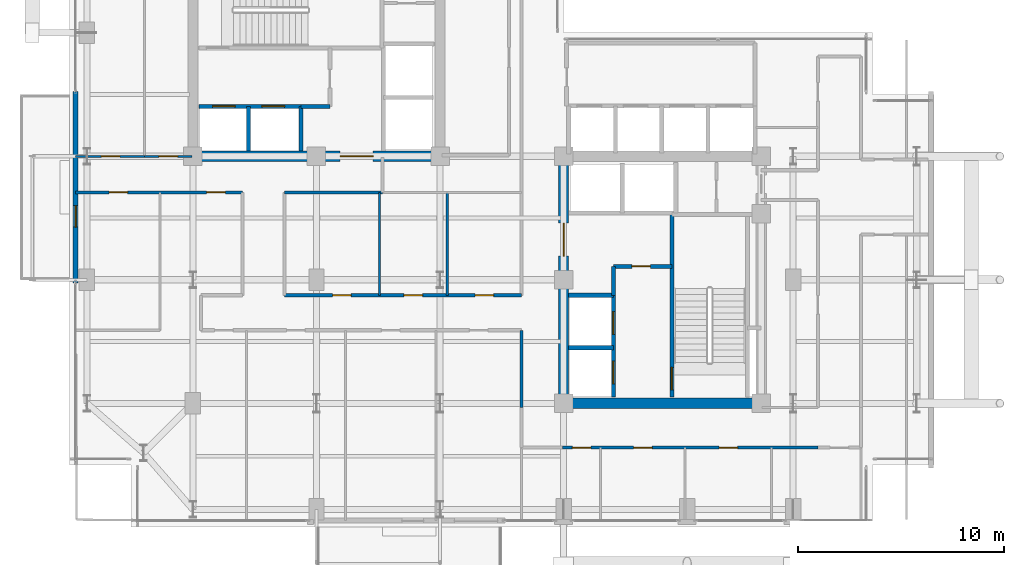
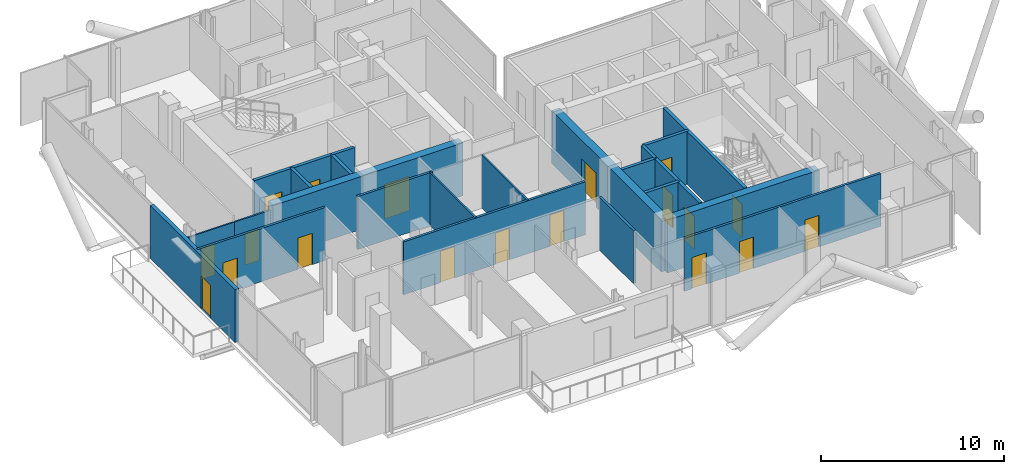
# One storey, part 17 of 22: 23 walls, 19 doors, 19 openings.
"""IFC4 building model written with IfcOpenShell, lengths in metres."""

from ifc_helpers import new_model, si_unit, direction, frame, frame_2d, origin, place, context, subcontext, project, spatial, rectangle, extrude, material, layer, layer_set, type_object, element, fill, save


model = new_model("IFC4")

# Units and contexts
model_context = context("Model", 3, precision=1e-05, world=origin(), true_north=direction((0.0, 1.0)))
body_context = subcontext(model_context, "Body", "Model", "MODEL_VIEW")
ifc_project = project(units=[si_unit("LENGTHUNIT", "METRE"), si_unit("AREAUNIT", "SQUARE_METRE"), si_unit("VOLUMEUNIT", "CUBIC_METRE"), si_unit("PLANEANGLEUNIT", "RADIAN"), si_unit("MASSUNIT", "GRAM", prefix="KILO"), si_unit("THERMODYNAMICTEMPERATUREUNIT", "KELVIN"), si_unit("POWERUNIT", "WATT")], contexts=[model_context])

# Site, building, storey
site_placement = place(None, origin())
site = spatial("IfcSite", under=ifc_project, at=site_placement, CompositionType="ELEMENT")
building_placement = place(site_placement, origin())
building = spatial("IfcBuilding", under=site, at=building_placement, Name="Svarakhadi Broadcast Tower", CompositionType="ELEMENT")
storey_placement = place(building_placement, frame((0.0, 0.0, 191.699951171875)))
storey = spatial("IfcBuildingStorey", under=building, at=storey_placement, Name="L47", CompositionType="ELEMENT", Elevation=191.699951171875)

# Wall, opening, door
ifc_material_1 = material(Name="Concrete C40/50 (IS 456 M50)", Category="concrete")
ifc_layer_1 = layer(ifc_material_1, 0.239990234375)
ifc_layer_set_1 = layer_set([ifc_layer_1], Name="Concrete C40/50 (IS 456 M50)")
wall_type_1 = type_object("IfcWallType", Name="Wall_Ext_240", PredefinedType="SOLIDWALL", material=ifc_layer_set_1)
wall_1_placement = place(storey_placement, frame((0.300048828125, 11.85498046875, 0.0), z_axis=(0.0, 0.0, 1.0), x_axis=(0.0, 1.0, 0.0)))
wall_1 = element("IfcWall", 1, at=wall_1_placement, inside=storey, type_object=wall_type_1, Name="L47 West Tree Balcony Spandrel Wall", PredefinedType="SOLIDWALL", context=body_context, shape_type="SweptSolid", body=[
    extrude(rectangle(XDim=9.2900390625, YDim=0.239990234375, at=frame_2d((4.64501953125, 0.0))), origin(), (0.0, 0.0, 1.0), 3.5400390625),
])
opening_1_placement = place(wall_1_placement, frame((2.699951171875, 0.0, 0.0)))
opening_1 = element("IfcOpeningElement", 2, at=opening_1_placement, cuts=wall_1, Name="Opening ED-06", PredefinedType="OPENING", context=body_context, shape_type="SweptSolid", body=[
    extrude(rectangle(XDim=1.050048828125, YDim=2.199951171875, at=frame_2d((0.52490234375, 1.10009765625))), frame((0.0, 0.1298828125, 0.0), z_axis=(0.0, -1.0, 0.0), x_axis=(1.0, 0.0, 0.0)), (0.0, 0.0, 1.0), 0.260009765625),
])
ifc_material_2 = material(Name="Anodised Bronze Aluminium AA 6063-T6", Category="aluminium")
door_type_1 = type_object("IfcDoorType", Name="Door_Ext_ED06", OperationType="SINGLE_SWING_RIGHT", PredefinedType="DOOR", material=ifc_material_2)
door_1_placement = place(opening_1_placement, origin())
door_1 = element("IfcDoor", 3, at=door_1_placement, inside=storey, type_object=door_type_1, Name="L47 West Tree Balcony Door", OperationType="SINGLE_SWING_RIGHT", OverallHeight=2.199951171875, OverallWidth=1.050048828125, PredefinedType="DOOR", context=body_context, shape_type="SweptSolid", body=[
    extrude(rectangle(XDim=1.050048828125, YDim=2.199951171875, at=frame_2d((0.52490234375, 1.10009765625))), frame((0.0, 0.02490234375, 0.0), z_axis=(0.0, -1.0, 0.0), x_axis=(1.0, 0.0, 0.0)), (0.0, 0.0, 1.0), 0.050048828125),
])
fill(opening_1, door_1)

# Walls
ifc_material_3 = material(Name="Fire-Rated Moisture-Resistant Gypsum Board Partition", Category="gypsum")
ifc_layer_2 = layer(ifc_material_3, 0.10009765625)
ifc_layer_set_2 = layer_set([ifc_layer_2], Name="Fire-Rated Moisture-Resistant Gypsum Board Partition")
wall_type_2 = type_object("IfcWallType", Name="Wall_Part_100", PredefinedType="PARTITIONING", material=ifc_layer_set_2)
for number, where, z_axis, x_axis, name in (
    (4, (15.050048828125, 11.25, 0.0), (0.0, 0.0, 1.0), (0.0, 1.0, 0.0), "L47 Executive Huddle Room Wall"),
    (5, (18.35009765625, 11.25, 0.0), (0.0, 0.0, 1.0), (0.0, 1.0, 0.0), "L47 Editorial Review Booth Wall"),
):
    element("IfcWall", number, at=place(storey_placement, frame(where, z_axis=z_axis, x_axis=x_axis)), inside=storey, type_object=wall_type_2, Name=name, PredefinedType="PARTITIONING", context=body_context, shape_type="SweptSolid", body=[
        extrude(rectangle(XDim=5.0, YDim=0.10009765625, at=frame_2d((2.5, 0.0))), origin(), (0.0, 0.0, 1.0), 3.5400390625),
    ])

# Wall, opening, door
wall_2_placement = place(storey_placement, frame((0.300048828125, 18.0, 0.0), z_axis=(0.0, 0.0, 1.0), x_axis=(1.0, 0.0, 0.0)))
wall_2 = element("IfcWall", 6, at=wall_2_placement, inside=storey, type_object=wall_type_2, Name="L47 Wellness Relaxation Alcove Wall", PredefinedType="PARTITIONING", context=body_context, shape_type="SweptSolid", body=[
    extrude(rectangle(XDim=3.349853515625, YDim=0.10009765625, at=frame_2d((1.6748046875, 0.0))), origin(), (0.0, 0.0, 1.0), 3.132080078125),
])
opening_2_placement = place(wall_2_placement, frame((1.25, 0.0, 0.0)))
opening_2 = element("IfcOpeningElement", 7, at=opening_2_placement, cuts=wall_2, Name="Opening D-15", PredefinedType="OPENING", context=body_context, shape_type="SweptSolid", body=[
    extrude(rectangle(XDim=0.89990234375, YDim=2.10009765625, at=frame_2d((0.449951171875, 1.050048828125))), frame((0.0, 0.06005859375, 0.0), z_axis=(0.0, -1.0, 0.0), x_axis=(1.0, 0.0, 0.0)), (0.0, 0.0, 1.0), 0.1201171875),
])
ifc_material_4 = material(Name="Solid-Core Teak Veneer Acoustic Timber Leaf", Category="wood")
door_type_2 = type_object("IfcDoorType", Name="Door_Int_D15", OperationType="SINGLE_SWING_RIGHT", PredefinedType="DOOR", material=ifc_material_4)
door_2_placement = place(opening_2_placement, origin())
door_2 = element("IfcDoor", 8, at=door_2_placement, inside=storey, type_object=door_type_2, Name="L47 Wellness Relaxation Alcove Door", OperationType="SINGLE_SWING_RIGHT", OverallHeight=2.10009765625, OverallWidth=0.89990234375, PredefinedType="DOOR", context=body_context, shape_type="SweptSolid", body=[
    extrude(rectangle(XDim=0.89990234375, YDim=2.10009765625, at=frame_2d((0.449951171875, 1.050048828125))), frame((0.0, 0.02490234375, 0.0), z_axis=(0.0, -1.0, 0.0), x_axis=(1.0, 0.0, 0.0)), (0.0, 0.0, 1.0), 0.050048828125),
])
fill(opening_2, door_2)

wall_3_placement = place(storey_placement, frame((3.64990234375, 18.0, 0.0), z_axis=(0.0, 0.0, 1.0), x_axis=(1.0, 0.0, 0.0)))
wall_3 = element("IfcWall", 9, at=wall_3_placement, inside=storey, type_object=wall_type_2, Name="L47 Herbal Tea Consultation Room Wall", PredefinedType="PARTITIONING", context=body_context, shape_type="SweptSolid", body=[
    extrude(rectangle(XDim=2.300048828125, YDim=0.10009765625, at=frame_2d((1.14990234375, 0.0))), origin(), (0.0, 0.0, 1.0), 3.132080078125),
])
opening_3_placement = place(wall_3_placement, frame((0.699951171875, 0.0, 0.0)))
opening_3 = element("IfcOpeningElement", 10, at=opening_3_placement, cuts=wall_3, Name="Opening D-14", PredefinedType="OPENING", context=body_context, shape_type="SweptSolid", body=[
    extrude(rectangle(XDim=0.89990234375, YDim=2.10009765625, at=frame_2d((0.449951171875, 1.050048828125))), frame((0.0, 0.06005859375, 0.0), z_axis=(0.0, -1.0, 0.0), x_axis=(1.0, 0.0, 0.0)), (0.0, 0.0, 1.0), 0.1201171875),
])
door_type_3 = type_object("IfcDoorType", Name="Door_Int_D14", OperationType="SINGLE_SWING_LEFT", PredefinedType="DOOR", material=ifc_material_4)
door_3_placement = place(opening_3_placement, origin())
door_3 = element("IfcDoor", 11, at=door_3_placement, inside=storey, type_object=door_type_3, Name="L47 Herbal Tea Consultation Room Door", OperationType="SINGLE_SWING_LEFT", OverallHeight=2.10009765625, OverallWidth=0.89990234375, PredefinedType="DOOR", context=body_context, shape_type="SweptSolid", body=[
    extrude(rectangle(XDim=0.89990234375, YDim=2.10009765625, at=frame_2d((0.449951171875, 1.050048828125))), frame((0.0, 0.02490234375, 0.0), z_axis=(0.0, -1.0, 0.0), x_axis=(1.0, 0.0, 0.0)), (0.0, 0.0, 1.0), 0.050048828125),
])
fill(opening_3, door_3)

# Wall, openings, doors
ifc_material_5 = material(Name="Autoclaved Aerated Concrete Blockwork 150 mm", Category="masonry")
ifc_layer_3 = layer(ifc_material_5, 0.14990234375)
ifc_layer_set_3 = layer_set([ifc_layer_3], Name="Autoclaved Aerated Concrete Blockwork 150 mm")
wall_type_3 = type_object("IfcWallType", Name="Wall_Part_150", PredefinedType="PARTITIONING", material=ifc_layer_set_3)
wall_4_placement = place(storey_placement, frame((36.35009765625, 3.85009765625, 0.0), z_axis=(0.0, 0.0, 1.0), x_axis=(-1.0, 0.0, 0.0)))
wall_4 = element("IfcWall", 12, at=wall_4_placement, inside=storey, type_object=wall_type_3, Name="L47 Zone 2/3 Corridor Wall", PredefinedType="PARTITIONING", context=body_context, shape_type="SweptSolid", body=[
    extrude(rectangle(XDim=12.400146484375, YDim=0.14990234375, at=frame_2d((6.2001953125, 0.0))), origin(), (0.0, 0.0, 1.0), 3.5400390625),
])
opening_4_placement = place(wall_4_placement, frame((11.02490234375, 0.0, 0.0)))
opening_4 = element("IfcOpeningElement", 13, at=opening_4_placement, cuts=wall_4, Name="Opening D-14", PredefinedType="OPENING", context=body_context, shape_type="SweptSolid", body=[
    extrude(rectangle(XDim=0.89990234375, YDim=2.10009765625, at=frame_2d((0.449951171875, 1.050048828125))), frame((0.0, 0.0849609375, 0.0), z_axis=(0.0, -1.0, 0.0), x_axis=(1.0, 0.0, 0.0)), (0.0, 0.0, 1.0), 0.169921875),
])
opening_5_placement = place(wall_4_placement, frame((8.050048828125, 0.0, 0.0)))
opening_5 = element("IfcOpeningElement", 14, at=opening_5_placement, cuts=wall_4, Name="Opening D-15", PredefinedType="OPENING", context=body_context, shape_type="SweptSolid", body=[
    extrude(rectangle(XDim=0.89990234375, YDim=2.10009765625, at=frame_2d((0.449951171875, 1.050048828125))), frame((0.0, 0.0849609375, 0.0), z_axis=(0.0, -1.0, 0.0), x_axis=(1.0, 0.0, 0.0)), (0.0, 0.0, 1.0), 0.169921875),
])
opening_6_placement = place(wall_4_placement, frame((3.89990234375, 0.0, 0.0)))
opening_6 = element("IfcOpeningElement", 15, at=opening_6_placement, cuts=wall_4, Name="Opening D-14", PredefinedType="OPENING", context=body_context, shape_type="SweptSolid", body=[
    extrude(rectangle(XDim=0.89990234375, YDim=2.10009765625, at=frame_2d((0.449951171875, 1.050048828125))), frame((0.0, 0.0849609375, 0.0), z_axis=(0.0, -1.0, 0.0), x_axis=(1.0, 0.0, 0.0)), (0.0, 0.0, 1.0), 0.169921875),
])
door_4_placement = place(opening_4_placement, origin())
door_4 = element("IfcDoor", 16, at=door_4_placement, inside=storey, type_object=door_type_3, Name="L47 Hotel Business Centre Office Door", OperationType="SINGLE_SWING_LEFT", OverallHeight=2.10009765625, OverallWidth=0.89990234375, PredefinedType="DOOR", context=body_context, shape_type="SweptSolid", body=[
    extrude(rectangle(XDim=0.89990234375, YDim=2.10009765625, at=frame_2d((0.449951171875, 1.050048828125))), frame((0.0, 0.02490234375, 0.0), z_axis=(0.0, -1.0, 0.0), x_axis=(1.0, 0.0, 0.0)), (0.0, 0.0, 1.0), 0.050048828125),
])
fill(opening_4, door_4)
door_5_placement = place(opening_6_placement, origin())
door_5 = element("IfcDoor", 17, at=door_5_placement, inside=storey, type_object=door_type_3, Name="L47 Artisanal Espresso Bar Door", OperationType="SINGLE_SWING_LEFT", OverallHeight=2.10009765625, OverallWidth=0.89990234375, PredefinedType="DOOR", context=body_context, shape_type="SweptSolid", body=[
    extrude(rectangle(XDim=0.89990234375, YDim=2.10009765625, at=frame_2d((0.449951171875, 1.050048828125))), frame((0.0, 0.02490234375, 0.0), z_axis=(0.0, -1.0, 0.0), x_axis=(1.0, 0.0, 0.0)), (0.0, 0.0, 1.0), 0.050048828125),
])
fill(opening_6, door_5)
door_6_placement = place(opening_5_placement, origin())
door_6 = element("IfcDoor", 18, at=door_6_placement, inside=storey, type_object=door_type_2, Name="L47 Private Dining Salon Door", OperationType="SINGLE_SWING_RIGHT", OverallHeight=2.10009765625, OverallWidth=0.89990234375, PredefinedType="DOOR", context=body_context, shape_type="SweptSolid", body=[
    extrude(rectangle(XDim=0.89990234375, YDim=2.10009765625, at=frame_2d((0.449951171875, 1.050048828125))), frame((0.0, 0.02490234375, 0.0), z_axis=(0.0, -1.0, 0.0), x_axis=(1.0, 0.0, 0.0)), (0.0, 0.0, 1.0), 0.050048828125),
])
fill(opening_5, door_6)

# Wall
wall_5_placement = place(storey_placement, frame((21.949951171875, 5.800048828125, 0.0), z_axis=(0.0, 0.0, 1.0), x_axis=(0.0, 1.0, 0.0)))
element("IfcWall", 19, at=wall_5_placement, inside=storey, type_object=wall_type_3, Name="L47 Zone 2/3 Corridor Wall", PredefinedType="PARTITIONING", context=body_context, shape_type="SweptSolid", body=[
    extrude(rectangle(XDim=3.75, YDim=0.14990234375, at=frame_2d((1.875, 0.0))), origin(), (0.0, 0.0, 1.0), 3.5400390625),
])

# Wall, openings, doors
wall_6_placement = place(storey_placement, frame((8.39990234375, 16.25, 0.0), z_axis=(0.0, 0.0, 1.0), x_axis=(-1.0, 0.0, 0.0)))
wall_6 = element("IfcWall", 20, at=wall_6_placement, inside=storey, type_object=wall_type_3, Name="L47 Zone 2/3 Corridor Wall", PredefinedType="PARTITIONING", context=body_context, shape_type="SweptSolid", body=[
    extrude(rectangle(XDim=8.099853515625, YDim=0.14990234375, at=frame_2d((4.0498046875, 0.0))), origin(), (0.0, 0.0, 1.0), 3.5400390625),
])
opening_7_placement = place(wall_6_placement, frame((5.574951171875, 0.0, 0.0)))
opening_7 = element("IfcOpeningElement", 21, at=opening_7_placement, cuts=wall_6, Name="Opening D-15", PredefinedType="OPENING", context=body_context, shape_type="SweptSolid", body=[
    extrude(rectangle(XDim=0.89990234375, YDim=2.10009765625, at=frame_2d((0.449951171875, 1.050048828125))), frame((0.0, 0.0849609375, 0.0), z_axis=(0.0, -1.0, 0.0), x_axis=(1.0, 0.0, 0.0)), (0.0, 0.0, 1.0), 0.169921875),
])
opening_8_placement = place(wall_6_placement, frame((0.830078125, 0.0, 0.0)))
opening_8 = element("IfcOpeningElement", 22, at=opening_8_placement, cuts=wall_6, Name="Opening D-12", PredefinedType="OPENING", context=body_context, shape_type="SweptSolid", body=[
    extrude(rectangle(XDim=0.89990234375, YDim=2.10009765625, at=frame_2d((0.449951171875, 1.050048828125))), frame((0.0, 0.0849609375, 0.0), z_axis=(0.0, -1.0, 0.0), x_axis=(1.0, 0.0, 0.0)), (0.0, 0.0, 1.0), 0.169921875),
])
door_7_placement = place(opening_7_placement, origin())
door_7 = element("IfcDoor", 23, at=door_7_placement, inside=storey, type_object=door_type_2, Name="L47 Aromatherapy Treatment Room Door", OperationType="SINGLE_SWING_RIGHT", OverallHeight=2.10009765625, OverallWidth=0.89990234375, PredefinedType="DOOR", context=body_context, shape_type="SweptSolid", body=[
    extrude(rectangle(XDim=0.89990234375, YDim=2.10009765625, at=frame_2d((0.449951171875, 1.050048828125))), frame((0.0, 0.02490234375, 0.0), z_axis=(0.0, -1.0, 0.0), x_axis=(1.0, 0.0, 0.0)), (0.0, 0.0, 1.0), 0.050048828125),
])
fill(opening_7, door_7)
door_type_4 = type_object("IfcDoorType", Name="Door_WC_D01", OperationType="SINGLE_SWING_LEFT", PredefinedType="DOOR", material=ifc_material_4)
door_8_placement = place(opening_8_placement, origin())
door_8 = element("IfcDoor", 24, at=door_8_placement, inside=storey, type_object=door_type_4, Name="L47 Herbal Aromatherapy Studio Door", OperationType="SINGLE_SWING_LEFT", OverallHeight=2.10009765625, OverallWidth=0.89990234375, PredefinedType="DOOR", context=body_context, shape_type="SweptSolid", body=[
    extrude(rectangle(XDim=0.89990234375, YDim=2.10009765625, at=frame_2d((0.449951171875, 1.050048828125))), frame((0.0, 0.02490234375, 0.0), z_axis=(0.0, -1.0, 0.0), x_axis=(1.0, 0.0, 0.0)), (0.0, 0.0, 1.0), 0.050048828125),
])
fill(opening_8, door_8)

# Wall
wall_7_placement = place(storey_placement, frame((15.199951171875, 16.25, 0.0), z_axis=(0.0, 0.0, 1.0), x_axis=(-1.0, 0.0, 0.0)))
element("IfcWall", 25, at=wall_7_placement, inside=storey, type_object=wall_type_3, Name="L47 Zone 2/3 Corridor Wall", PredefinedType="PARTITIONING", context=body_context, shape_type="SweptSolid", body=[
    extrude(rectangle(XDim=4.75, YDim=0.14990234375, at=frame_2d((2.375, 0.0))), origin(), (0.0, 0.0, 1.0), 3.5400390625),
])

# Wall, openings, doors
wall_8_placement = place(storey_placement, frame((10.449951171875, 11.25, 0.0), z_axis=(0.0, 0.0, 1.0), x_axis=(1.0, 0.0, 0.0)))
wall_8 = element("IfcWall", 26, at=wall_8_placement, inside=storey, type_object=wall_type_3, Name="L47 Zone 2/3 Corridor Wall", PredefinedType="PARTITIONING", context=body_context, shape_type="SweptSolid", body=[
    extrude(rectangle(XDim=11.5, YDim=0.14990234375, at=frame_2d((5.75, 0.0))), origin(), (0.0, 0.0, 1.0), 3.5400390625),
])
opening_9_placement = place(wall_8_placement, frame((2.330078125, 0.0, 0.0)))
opening_9 = element("IfcOpeningElement", 27, at=opening_9_placement, cuts=wall_8, Name="Opening D-15", PredefinedType="OPENING", context=body_context, shape_type="SweptSolid", body=[
    extrude(rectangle(XDim=0.89990234375, YDim=2.10009765625, at=frame_2d((0.449951171875, 1.050048828125))), frame((0.0, 0.0849609375, 0.0), z_axis=(0.0, -1.0, 0.0), x_axis=(1.0, 0.0, 0.0)), (0.0, 0.0, 1.0), 0.169921875),
])
opening_10_placement = place(wall_8_placement, frame((5.800048828125, 0.0, 0.0)))
opening_10 = element("IfcOpeningElement", 28, at=opening_10_placement, cuts=wall_8, Name="Opening D-12", PredefinedType="OPENING", context=body_context, shape_type="SweptSolid", body=[
    extrude(rectangle(XDim=0.89990234375, YDim=2.10009765625, at=frame_2d((0.449951171875, 1.050048828125))), frame((0.0, 0.0849609375, 0.0), z_axis=(0.0, -1.0, 0.0), x_axis=(1.0, 0.0, 0.0)), (0.0, 0.0, 1.0), 0.169921875),
])
opening_11_placement = place(wall_8_placement, frame((9.25, 0.0, 0.0)))
opening_11 = element("IfcOpeningElement", 29, at=opening_11_placement, cuts=wall_8, Name="Opening D-13", PredefinedType="OPENING", context=body_context, shape_type="SweptSolid", body=[
    extrude(rectangle(XDim=0.89990234375, YDim=2.10009765625, at=frame_2d((0.449951171875, 1.050048828125))), frame((0.0, 0.0849609375, 0.0), z_axis=(0.0, -1.0, 0.0), x_axis=(1.0, 0.0, 0.0)), (0.0, 0.0, 1.0), 0.169921875),
])
door_type_5 = type_object("IfcDoorType", Name="Door_Closet_D13", OperationType="SINGLE_SWING_RIGHT", PredefinedType="DOOR", material=ifc_material_4)
door_9_placement = place(opening_11_placement, origin())
door_9 = element("IfcDoor", 30, at=door_9_placement, inside=storey, type_object=door_type_5, Name="L47 Accessible Floor Washroom WC Door", OperationType="SINGLE_SWING_RIGHT", OverallHeight=2.10009765625, OverallWidth=0.89990234375, PredefinedType="DOOR", context=body_context, shape_type="SweptSolid", body=[
    extrude(rectangle(XDim=0.89990234375, YDim=2.10009765625, at=frame_2d((0.449951171875, 1.050048828125))), frame((0.0, 0.02490234375, 0.0), z_axis=(0.0, -1.0, 0.0), x_axis=(1.0, 0.0, 0.0)), (0.0, 0.0, 1.0), 0.050048828125),
])
fill(opening_11, door_9)
door_10_placement = place(opening_9_placement, origin())
door_10 = element("IfcDoor", 31, at=door_10_placement, inside=storey, type_object=door_type_2, Name="L47 Executive Huddle Room Door", OperationType="SINGLE_SWING_RIGHT", OverallHeight=2.10009765625, OverallWidth=0.89990234375, PredefinedType="DOOR", context=body_context, shape_type="SweptSolid", body=[
    extrude(rectangle(XDim=0.89990234375, YDim=2.10009765625, at=frame_2d((0.449951171875, 1.050048828125))), frame((0.0, 0.02490234375, 0.0), z_axis=(0.0, -1.0, 0.0), x_axis=(1.0, 0.0, 0.0)), (0.0, 0.0, 1.0), 0.050048828125),
])
fill(opening_9, door_10)
door_11_placement = place(opening_10_placement, origin())
door_11 = element("IfcDoor", 32, at=door_11_placement, inside=storey, type_object=door_type_4, Name="L47 Editorial Review Booth Door", OperationType="SINGLE_SWING_LEFT", OverallHeight=2.10009765625, OverallWidth=0.89990234375, PredefinedType="DOOR", context=body_context, shape_type="SweptSolid", body=[
    extrude(rectangle(XDim=0.89990234375, YDim=2.10009765625, at=frame_2d((0.449951171875, 1.050048828125))), frame((0.0, 0.02490234375, 0.0), z_axis=(0.0, -1.0, 0.0), x_axis=(1.0, 0.0, 0.0)), (0.0, 0.0, 1.0), 0.050048828125),
])
fill(opening_10, door_11)

# Wall, opening, door
ifc_material_6 = material(Name="Concrete C50/60 (IS 456 M60)", Category="concrete")
ifc_layer_4 = layer(ifc_material_6, 0.199951171875)
ifc_layer_set_4 = layer_set([ifc_layer_4], Name="Concrete C50/60 (IS 456 M60)")
wall_type_4 = type_object("IfcWallType", Name="Wall_Shear_200", PredefinedType="SHEAR", material=ifc_layer_set_4)
wall_9_placement = place(storey_placement, frame((29.260009765625, 6.300048828125, 0.0), z_axis=(0.0, 0.0, 1.0), x_axis=(0.0, 1.0, 0.0)))
wall_9 = element("IfcWall", 33, at=wall_9_placement, inside=storey, type_object=wall_type_4, Name="L47 Stair ST-02 West RC Shaft Wall", PredefinedType="SHEAR", context=body_context, shape_type="SweptSolid", body=[
    extrude(rectangle(XDim=8.8798828125, YDim=0.199951171875, at=frame_2d((4.43994140625, 0.0))), origin(), (0.0, 0.0, 1.0), 3.5400390625),
])
opening_12_placement = place(wall_9_placement, frame((0.35009765625, 0.0, 0.0)))
opening_12 = element("IfcOpeningElement", 34, at=opening_12_placement, cuts=wall_9, Name="Opening D-02", PredefinedType="OPENING", context=body_context, shape_type="SweptSolid", body=[
    extrude(rectangle(XDim=1.10009765625, YDim=2.199951171875, at=frame_2d((0.550048828125, 1.10009765625))), frame((0.0, 0.10986328125, 0.0), z_axis=(0.0, -1.0, 0.0), x_axis=(1.0, 0.0, 0.0)), (0.0, 0.0, 1.0), 0.219970703125),
])
ifc_material_7 = material(Name="Galvanised Powder-Coated Fire-Rated Steel Leaf", Category="steel")
door_type_6 = type_object("IfcDoorType", Name="Door_Stair_D02", OperationType="SINGLE_SWING_RIGHT", PredefinedType="DOOR", material=ifc_material_7)
door_12_placement = place(opening_12_placement, origin())
door_12 = element("IfcDoor", 35, at=door_12_placement, inside=storey, type_object=door_type_6, Name="L47 Protected Exit Stair ST-02 Fire Door", OperationType="SINGLE_SWING_RIGHT", OverallHeight=2.199951171875, OverallWidth=1.10009765625, PredefinedType="DOOR", context=body_context, shape_type="SweptSolid", body=[
    extrude(rectangle(XDim=1.10009765625, YDim=2.199951171875, at=frame_2d((0.550048828125, 1.10009765625))), frame((0.0, 0.02490234375, 0.0), z_axis=(0.0, -1.0, 0.0), x_axis=(1.0, 0.0, 0.0)), (0.0, 0.0, 1.0), 0.050048828125),
])
fill(opening_12, door_12)

# Wall, openings, doors
wall_10_placement = place(storey_placement, frame((6.300048828125, 20.419921875, 0.0), z_axis=(0.0, 0.0, 1.0), x_axis=(1.0, 0.0, 0.0)))
wall_10 = element("IfcWall", 36, at=wall_10_placement, inside=storey, type_object=wall_type_4, Name="L47 Firefighting Lift LF-01/02 Shaft Wall", PredefinedType="SHEAR", context=body_context, shape_type="SweptSolid", body=[
    extrude(rectangle(XDim=4.949951171875, YDim=0.199951171875, at=frame_2d((2.47509765625, 0.0))), origin(), (0.0, 0.0, 1.0), 3.5400390625),
])
opening_13_placement = place(wall_10_placement, frame((0.64990234375, 0.0, 0.0)))
opening_13 = element("IfcOpeningElement", 37, at=opening_13_placement, cuts=wall_10, Name="Opening LD-01", PredefinedType="OPENING", context=body_context, shape_type="SweptSolid", body=[
    extrude(rectangle(XDim=1.10009765625, YDim=2.199951171875, at=frame_2d((0.550048828125, 1.10009765625))), frame((0.0, 0.10986328125, 0.0), z_axis=(0.0, -1.0, 0.0), x_axis=(1.0, 0.0, 0.0)), (0.0, 0.0, 1.0), 0.219970703125),
])
opening_14_placement = place(wall_10_placement, frame((3.050048828125, 0.0, 0.0)))
opening_14 = element("IfcOpeningElement", 38, at=opening_14_placement, cuts=wall_10, Name="Opening LD-01", PredefinedType="OPENING", context=body_context, shape_type="SweptSolid", body=[
    extrude(rectangle(XDim=1.10009765625, YDim=2.199951171875, at=frame_2d((0.550048828125, 1.10009765625))), frame((0.0, 0.10986328125, 0.0), z_axis=(0.0, -1.0, 0.0), x_axis=(1.0, 0.0, 0.0)), (0.0, 0.0, 1.0), 0.219970703125),
])
door_type_7 = type_object("IfcDoorType", Name="Door_Lift_LD01", OperationType="SLIDING_TO_LEFT", PredefinedType="DOOR", material=ifc_material_7)
door_13_placement = place(opening_13_placement, origin())
door_13 = element("IfcDoor", 39, at=door_13_placement, inside=storey, type_object=door_type_7, Name="L47 Firefighting Lift LF-01 Landing Door", OperationType="SLIDING_TO_LEFT", OverallHeight=2.199951171875, OverallWidth=1.10009765625, PredefinedType="DOOR", context=body_context, shape_type="SweptSolid", body=[
    extrude(rectangle(XDim=1.10009765625, YDim=2.199951171875, at=frame_2d((0.550048828125, 1.10009765625))), frame((0.0, 0.02490234375, 0.0), z_axis=(0.0, -1.0, 0.0), x_axis=(1.0, 0.0, 0.0)), (0.0, 0.0, 1.0), 0.050048828125),
])
fill(opening_13, door_13)
door_14_placement = place(opening_14_placement, origin())
door_14 = element("IfcDoor", 40, at=door_14_placement, inside=storey, type_object=door_type_7, Name="L47 Firefighting Lift LF-02 Landing Door", OperationType="SLIDING_TO_LEFT", OverallHeight=2.199951171875, OverallWidth=1.10009765625, PredefinedType="DOOR", context=body_context, shape_type="SweptSolid", body=[
    extrude(rectangle(XDim=1.10009765625, YDim=2.199951171875, at=frame_2d((0.550048828125, 1.10009765625))), frame((0.0, 0.02490234375, 0.0), z_axis=(0.0, -1.0, 0.0), x_axis=(1.0, 0.0, 0.0)), (0.0, 0.0, 1.0), 0.050048828125),
])
fill(opening_14, door_14)

# Walls
for number, where, z_axis, x_axis, name in (
    (41, (8.699951171875, 18.25, 0.0), (0.0, 0.0, 1.0), (0.0, 1.0, 0.0), "L47 Firefighting Lift LF-01/02 Divider Wall"),
    (42, (11.25, 18.25, 0.0), (0.0, 0.0, 1.0), (0.0, 1.0, 0.0), "L47 Firefighting Lift LF-02 East Wall"),
):
    element("IfcWall", number, at=place(storey_placement, frame(where, z_axis=z_axis, x_axis=x_axis)), inside=storey, type_object=wall_type_4, Name=name, PredefinedType="SHEAR", context=body_context, shape_type="SweptSolid", body=[
        extrude(rectangle(XDim=2.169921875, YDim=0.199951171875, at=frame_2d((1.0849609375, 0.0))), origin(), (0.0, 0.0, 1.0), 3.5400390625),
    ])
wall_11_placement = place(storey_placement, frame((11.25, 20.419921875, 0.0), z_axis=(0.0, 0.0, 1.0), x_axis=(1.0, 0.0, 0.0)))
element("IfcWall", 43, at=wall_11_placement, inside=storey, type_object=wall_type_4, Name="L47 West Firefighting Lobby South Wall", PredefinedType="SHEAR", context=body_context, shape_type="SweptSolid", body=[
    extrude(rectangle(XDim=1.39990234375, YDim=0.199951171875, at=frame_2d((0.699951171875, 0.0))), origin(), (0.0, 0.0, 1.0), 3.5400390625),
])

# Wall, openings, doors
wall_12_placement = place(storey_placement, frame((26.419921875, 6.300048828125, 0.0), z_axis=(0.0, 0.0, 1.0), x_axis=(0.0, 1.0, 0.0)))
wall_12 = element("IfcWall", 44, at=wall_12_placement, inside=storey, type_object=wall_type_4, Name="L47 Firefighting Lift LF-03/04 Shaft Wall", PredefinedType="SHEAR", context=body_context, shape_type="SweptSolid", body=[
    extrude(rectangle(XDim=4.949951171875, YDim=0.199951171875, at=frame_2d((2.47509765625, 0.0))), origin(), (0.0, 0.0, 1.0), 3.5400390625),
])
opening_15_placement = place(wall_12_placement, frame((0.64990234375, 0.0, 0.0)))
opening_15 = element("IfcOpeningElement", 45, at=opening_15_placement, cuts=wall_12, Name="Opening LD-01", PredefinedType="OPENING", context=body_context, shape_type="SweptSolid", body=[
    extrude(rectangle(XDim=1.10009765625, YDim=2.199951171875, at=frame_2d((0.550048828125, 1.10009765625))), frame((0.0, 0.10986328125, 0.0), z_axis=(0.0, -1.0, 0.0), x_axis=(1.0, 0.0, 0.0)), (0.0, 0.0, 1.0), 0.219970703125),
])
opening_16_placement = place(wall_12_placement, frame((3.050048828125, 0.0, 0.0)))
opening_16 = element("IfcOpeningElement", 46, at=opening_16_placement, cuts=wall_12, Name="Opening LD-01", PredefinedType="OPENING", context=body_context, shape_type="SweptSolid", body=[
    extrude(rectangle(XDim=1.10009765625, YDim=2.199951171875, at=frame_2d((0.550048828125, 1.10009765625))), frame((0.0, 0.10986328125, 0.0), z_axis=(0.0, -1.0, 0.0), x_axis=(1.0, 0.0, 0.0)), (0.0, 0.0, 1.0), 0.219970703125),
])
door_15_placement = place(opening_15_placement, origin())
door_15 = element("IfcDoor", 47, at=door_15_placement, inside=storey, type_object=door_type_7, Name="L47 Firefighting Lift LF-03 Landing Door", OperationType="SLIDING_TO_LEFT", OverallHeight=2.199951171875, OverallWidth=1.10009765625, PredefinedType="DOOR", context=body_context, shape_type="SweptSolid", body=[
    extrude(rectangle(XDim=1.10009765625, YDim=2.199951171875, at=frame_2d((0.550048828125, 1.10009765625))), frame((0.0, 0.02490234375, 0.0), z_axis=(0.0, -1.0, 0.0), x_axis=(1.0, 0.0, 0.0)), (0.0, 0.0, 1.0), 0.050048828125),
])
fill(opening_15, door_15)
door_16_placement = place(opening_16_placement, origin())
door_16 = element("IfcDoor", 48, at=door_16_placement, inside=storey, type_object=door_type_7, Name="L47 Firefighting Lift LF-04 Landing Door", OperationType="SLIDING_TO_LEFT", OverallHeight=2.199951171875, OverallWidth=1.10009765625, PredefinedType="DOOR", context=body_context, shape_type="SweptSolid", body=[
    extrude(rectangle(XDim=1.10009765625, YDim=2.199951171875, at=frame_2d((0.550048828125, 1.10009765625))), frame((0.0, 0.02490234375, 0.0), z_axis=(0.0, -1.0, 0.0), x_axis=(1.0, 0.0, 0.0)), (0.0, 0.0, 1.0), 0.050048828125),
])
fill(opening_16, door_16)

# Walls
for number, where, z_axis, x_axis, name in (
    (49, (24.25, 8.699951171875, 0.0), (0.0, 0.0, 1.0), (1.0, 0.0, 0.0), "L47 Firefighting Lift LF-03/04 Divider Wall"),
    (50, (24.25, 11.25, 0.0), (0.0, 0.0, 1.0), (1.0, 0.0, 0.0), "L47 Firefighting Lift LF-04 North Wall"),
):
    element("IfcWall", number, at=place(storey_placement, frame(where, z_axis=z_axis, x_axis=x_axis)), inside=storey, type_object=wall_type_4, Name=name, PredefinedType="SHEAR", context=body_context, shape_type="SweptSolid", body=[
        extrude(rectangle(XDim=2.169921875, YDim=0.199951171875, at=frame_2d((1.0849609375, 0.0))), origin(), (0.0, 0.0, 1.0), 3.5400390625),
    ])
wall_13_placement = place(storey_placement, frame((26.419921875, 11.25, 0.0), z_axis=(0.0, 0.0, 1.0), x_axis=(0.0, 1.0, 0.0)))
element("IfcWall", 51, at=wall_13_placement, inside=storey, type_object=wall_type_4, Name="L47 East Firefighting Lobby West Wall", PredefinedType="SHEAR", context=body_context, shape_type="SweptSolid", body=[
    extrude(rectangle(XDim=1.39990234375, YDim=0.199951171875, at=frame_2d((0.699951171875, 0.0))), origin(), (0.0, 0.0, 1.0), 3.5400390625),
])

# Wall, opening, door
wall_14_placement = place(storey_placement, frame((26.419921875, 12.64990234375, 0.0), z_axis=(0.0, 0.0, 1.0), x_axis=(1.0, 0.0, 0.0)))
wall_14 = element("IfcWall", 52, at=wall_14_placement, inside=storey, type_object=wall_type_4, Name="L47 East Firefighting Lobby North Wall", PredefinedType="SHEAR", context=body_context, shape_type="SweptSolid", body=[
    extrude(rectangle(XDim=2.840087890625, YDim=0.199951171875, at=frame_2d((1.419921875, 0.0))), origin(), (0.0, 0.0, 1.0), 3.5400390625),
])
opening_17_placement = place(wall_14_placement, frame((0.89990234375, 0.0, 0.0)))
opening_17 = element("IfcOpeningElement", 53, at=opening_17_placement, cuts=wall_14, Name="Opening D-04", PredefinedType="OPENING", context=body_context, shape_type="SweptSolid", body=[
    extrude(rectangle(XDim=0.89990234375, YDim=2.14990234375, at=frame_2d((0.449951171875, 1.074951171875))), frame((0.0, 0.10986328125, 0.0), z_axis=(0.0, -1.0, 0.0), x_axis=(1.0, 0.0, 0.0)), (0.0, 0.0, 1.0), 0.219970703125),
])
door_type_8 = type_object("IfcDoorType", Name="Door_Fire_D04", OperationType="SINGLE_SWING_RIGHT", PredefinedType="DOOR", material=ifc_material_7)
door_17_placement = place(opening_17_placement, origin())
door_17 = element("IfcDoor", 54, at=door_17_placement, inside=storey, type_object=door_type_8, Name="L47 East Firefighting Lobby Fire Door", OperationType="SINGLE_SWING_RIGHT", OverallHeight=2.14990234375, OverallWidth=0.89990234375, PredefinedType="DOOR", context=body_context, shape_type="SweptSolid", body=[
    extrude(rectangle(XDim=0.89990234375, YDim=2.14990234375, at=frame_2d((0.449951171875, 1.074951171875))), frame((0.0, 0.02490234375, 0.0), z_axis=(0.0, -1.0, 0.0), x_axis=(1.0, 0.0, 0.0)), (0.0, 0.0, 1.0), 0.050048828125),
])
fill(opening_17, door_17)

ifc_layer_5 = layer(ifc_material_6, 0.5)
ifc_layer_set_5 = layer_set([ifc_layer_5], Name="Concrete C50/60 (IS 456 M60)")
wall_type_5 = type_object("IfcWallType", Name="Wall_Shear_500", PredefinedType="SHEAR", material=ifc_layer_set_5)
wall_15_placement = place(storey_placement, frame((6.0, 18.0, 0.0), z_axis=(0.0, 0.0, 1.0), x_axis=(1.0, 0.0, 0.0)))
wall_15 = element("IfcWall", 55, at=wall_15_placement, inside=storey, type_object=wall_type_5, Name="L47 West Core South Shear Wall", PredefinedType="SHEAR", context=body_context, shape_type="SweptSolid", body=[
    extrude(rectangle(XDim=12.0, YDim=0.5, at=frame_2d((6.0, 0.0))), origin(), (0.0, 0.0, 1.0), 3.5400390625),
])
opening_18_placement = place(wall_15_placement, frame((7.14990234375, 0.0, 0.0)))
opening_18 = element("IfcOpeningElement", 56, at=opening_18_placement, cuts=wall_15, Name="Opening D-05", PredefinedType="OPENING", context=body_context, shape_type="SweptSolid", body=[
    extrude(rectangle(XDim=1.60009765625, YDim=2.300048828125, at=frame_2d((0.800048828125, 1.14990234375))), frame((0.0, 0.260009765625, 0.0), z_axis=(0.0, -1.0, 0.0), x_axis=(1.0, 0.0, 0.0)), (0.0, 0.0, 1.0), 0.52001953125),
])
door_type_9 = type_object("IfcDoorType", Name="Door_Lobby_D05", OperationType="DOUBLE_DOOR_SLIDING", PredefinedType="DOOR", material=ifc_material_2)
door_18_placement = place(opening_18_placement, origin())
door_18 = element("IfcDoor", 57, at=door_18_placement, inside=storey, type_object=door_type_9, Name="L47 West Core Passenger Lift Lobby Entrance Door", OperationType="DOUBLE_DOOR_SLIDING", OverallHeight=2.300048828125, OverallWidth=1.60009765625, PredefinedType="DOOR", context=body_context, shape_type="SweptSolid", body=[
    extrude(rectangle(XDim=1.60009765625, YDim=2.300048828125, at=frame_2d((0.800048828125, 1.14990234375))), frame((0.0, 0.02490234375, 0.0), z_axis=(0.0, -1.0, 0.0), x_axis=(1.0, 0.0, 0.0)), (0.0, 0.0, 1.0), 0.050048828125),
])
fill(opening_18, door_18)

# Wall
wall_16_placement = place(storey_placement, frame((24.0, 6.0, 0.0), z_axis=(0.0, 0.0, 1.0), x_axis=(1.0, 0.0, 0.0)))
element("IfcWall", 58, at=wall_16_placement, inside=storey, type_object=wall_type_5, Name="L47 East Core South Shear Wall", PredefinedType="SHEAR", context=body_context, shape_type="SweptSolid", body=[
    extrude(rectangle(XDim=9.60009765625, YDim=0.5, at=frame_2d((4.800048828125, 0.0))), origin(), (0.0, 0.0, 1.0), 3.5400390625),
])

# Wall, opening, door
wall_17_placement = place(storey_placement, frame((24.0, 6.0, 0.0), z_axis=(0.0, 0.0, 1.0), x_axis=(0.0, 1.0, 0.0)))
wall_17 = element("IfcWall", 59, at=wall_17_placement, inside=storey, type_object=wall_type_5, Name="L47 East Core West Shear Wall", PredefinedType="SHEAR", context=body_context, shape_type="SweptSolid", body=[
    extrude(rectangle(XDim=12.0, YDim=0.5, at=frame_2d((6.0, 0.0))), origin(), (0.0, 0.0, 1.0), 3.5400390625),
])
opening_19_placement = place(wall_17_placement, frame((7.14990234375, 0.0, 0.0)))
opening_19 = element("IfcOpeningElement", 60, at=opening_19_placement, cuts=wall_17, Name="Opening D-05", PredefinedType="OPENING", context=body_context, shape_type="SweptSolid", body=[
    extrude(rectangle(XDim=1.60009765625, YDim=2.300048828125, at=frame_2d((0.800048828125, 1.14990234375))), frame((0.0, 0.260009765625, 0.0), z_axis=(0.0, -1.0, 0.0), x_axis=(1.0, 0.0, 0.0)), (0.0, 0.0, 1.0), 0.52001953125),
])
door_19_placement = place(opening_19_placement, origin())
door_19 = element("IfcDoor", 61, at=door_19_placement, inside=storey, type_object=door_type_9, Name="L47 East Core Passenger Lift Lobby Entrance Door", OperationType="DOUBLE_DOOR_SLIDING", OverallHeight=2.300048828125, OverallWidth=1.60009765625, PredefinedType="DOOR", context=body_context, shape_type="SweptSolid", body=[
    extrude(rectangle(XDim=1.60009765625, YDim=2.300048828125, at=frame_2d((0.800048828125, 1.14990234375))), frame((0.0, 0.02490234375, 0.0), z_axis=(0.0, -1.0, 0.0), x_axis=(1.0, 0.0, 0.0)), (0.0, 0.0, 1.0), 0.050048828125),
])
fill(opening_19, door_19)

save(model, "model.ifc")
